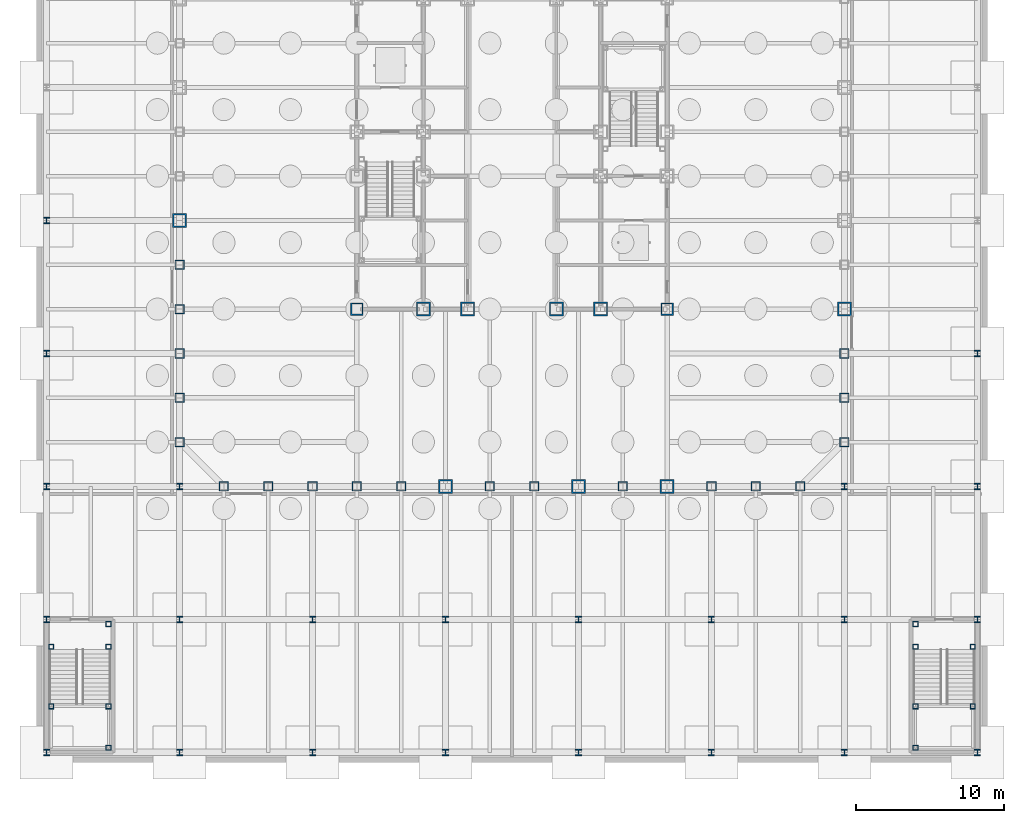
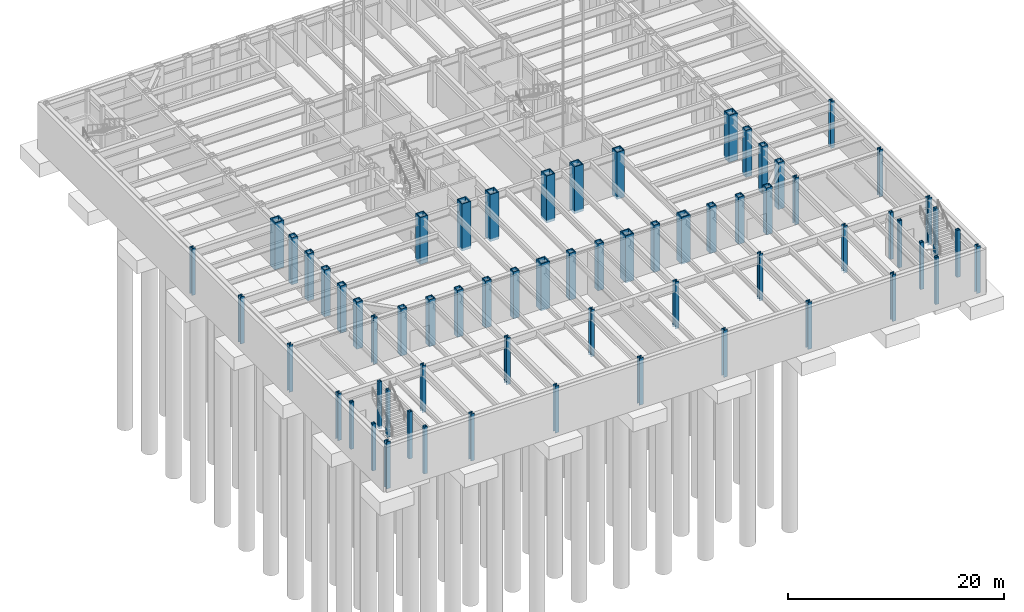
# One storey, part 2 of 18: 65 columns.
"""IFC4 building model written with IfcOpenShell, lengths in metres."""

from ifc_helpers import new_model, si_unit, direction, frame, origin, origin_2d, place, context, subcontext, project, spatial, hollow_rectangle, i_section, extrude, material, material_profile, profile_set, type_object, element, save


model = new_model("IFC4")

# Units and contexts
model_context = context("Model", 3, precision=1e-05, world=origin(), true_north=direction((0.0, 1.0)))
body_context = subcontext(model_context, "Body", "Model", "MODEL_VIEW")
ifc_project = project(units=[si_unit("LENGTHUNIT", "METRE"), si_unit("AREAUNIT", "SQUARE_METRE"), si_unit("VOLUMEUNIT", "CUBIC_METRE"), si_unit("PLANEANGLEUNIT", "RADIAN"), si_unit("MASSUNIT", "GRAM", prefix="KILO")], contexts=[model_context])

# Site, building, storey
site_placement = place(None, origin())
site = spatial("IfcSite", under=ifc_project, at=site_placement, CompositionType="ELEMENT")
building_placement = place(site_placement, origin())
building = spatial("IfcBuilding", under=site, at=building_placement, Name="Chuquiago Exchange Tower", CompositionType="ELEMENT")
storey_placement = place(building_placement, frame((0.0, 0.0, -5.0)))
storey = spatial("IfcBuildingStorey", under=building, at=storey_placement, Name="B1", CompositionType="ELEMENT", Elevation=-5.0)

# Columns
ifc_material_1 = material(Name="Steel ASTM A572 Grade 50", Category="steel")
ifc_material_profile_1 = material_profile(ifc_material_1, hollow_rectangle(XDim=0.64990234375, YDim=0.64990234375, WallThickness=0.06494140625, at=origin_2d()), Name="BOX650X650X65")
ifc_profile_set_1 = profile_set([ifc_material_profile_1], Name="Steel ASTM A572 Grade 50")
column_type_1 = type_object("IfcColumnType", Name="C1 BOX650X650X65", PredefinedType="COLUMN", material=ifc_profile_set_1)
for number, where, z_axis, x_axis, name in (
    (1, (3.0, 0.0, -0.300048828125), (0.0, 0.0, 1.0), (0.0, -1.0, 0.0), "COL-B1-3_0"),
    (2, (6.0, 0.0, -0.300048828125), (0.0, 0.0, 1.0), (0.0, -1.0, 0.0), "COL-B1-6_0"),
    (3, (9.0, 0.0, -0.300048828125), (0.0, 0.0, 1.0), (0.0, -1.0, 0.0), "COL-B1-9_0"),
    (4, (12.0, 0.0, -0.300048828125), (0.0, 0.0, 1.0), (0.0, -1.0, 0.0), "COL-B1-12_0"),
    (5, (15.0, 0.0, -0.300048828125), (0.0, 0.0, 1.0), (0.0, -1.0, 0.0), "COL-B1-15_0"),
    (6, (21.0, 0.0, -0.300048828125), (0.0, 0.0, 1.0), (0.0, -1.0, 0.0), "COL-B1-21_0"),
    (7, (24.0, 0.0, -0.300048828125), (0.0, 0.0, 1.0), (0.0, -1.0, 0.0), "COL-B1-24_0"),
    (8, (30.0, 0.0, -0.300048828125), (0.0, 0.0, 1.0), (0.0, -1.0, 0.0), "COL-B1-30_0"),
    (9, (36.0, 0.0, -0.300048828125), (0.0, 0.0, 1.0), (0.0, -1.0, 0.0), "COL-B1-36_0"),
    (10, (39.0, 0.0, -0.300048828125), (0.0, 0.0, 1.0), (0.0, -1.0, 0.0), "COL-B1-39_0"),
    (11, (42.0, 0.0, -0.300048828125), (0.0, 0.0, 1.0), (0.0, -1.0, 0.0), "COL-B1-42_0"),
    (12, (45.0, 3.0, -0.300048828125), (0.0, 0.0, 1.0), (1.0, 0.0, 0.0), "COL-B1-45_3"),
    (13, (45.0, 6.0, -0.300048828125), (0.0, 0.0, 1.0), (1.0, 0.0, 0.0), "COL-B1-45_6"),
    (14, (45.0, 9.0, -0.300048828125), (0.0, 0.0, 1.0), (1.0, 0.0, 0.0), "COL-B1-45_9"),
    (15, (0.0, 15.0, -0.300048828125), (0.0, 0.0, 1.0), (-1.0, 0.0, 0.0), "COL-B1-0_15"),
    (16, (0.0, 12.0, -0.300048828125), (0.0, 0.0, 1.0), (-1.0, 0.0, 0.0), "COL-B1-0_12"),
    (17, (0.0, 9.0, -0.300048828125), (0.0, 0.0, 1.0), (-1.0, 0.0, 0.0), "COL-B1-0_9"),
    (18, (0.0, 6.0, -0.300048828125), (0.0, 0.0, 1.0), (-1.0, 0.0, 0.0), "COL-B1-0_6"),
    (19, (0.0, 3.0, -0.300048828125), (0.0, 0.0, 1.0), (-1.0, 0.0, 0.0), "COL-B1-0_3"),
):
    element("IfcColumn", number, at=place(storey_placement, frame(where, z_axis=z_axis, x_axis=x_axis)), inside=storey, type_object=column_type_1, Name=name, PredefinedType="COLUMN", context=body_context, shape_type="SweptSolid", body=[
        extrude(hollow_rectangle(XDim=0.64990234375, YDim=0.64990234375, WallThickness=0.06494140625, at=origin_2d()), origin(), (0.0, 0.0, 1.0), 5.300048828125),
    ])
ifc_material_2 = material(Name="Steel ASTM A572 Grade 50", Category="steel")
ifc_material_profile_2 = material_profile(ifc_material_2, hollow_rectangle(XDim=0.949951171875, YDim=0.949951171875, WallThickness=0.094970703125, at=origin_2d()), Name="BOX950X950X95")
ifc_profile_set_2 = profile_set([ifc_material_profile_2], Name="Steel ASTM A572 Grade 50")
column_type_2 = type_object("IfcColumnType", Name="CC1 BOX950X950X95", PredefinedType="COLUMN", material=ifc_profile_set_2)
for number, where, z_axis, x_axis, name in (
    (20, (16.5, 12.0, -0.300048828125), (0.0, 0.0, 1.0), (1.0, 0.0, 0.0), "CCOL-B1-16.5_12"),
    (21, (19.5, 12.0, -0.300048828125), (0.0, 0.0, 1.0), (1.0, 0.0, 0.0), "CCOL-B1-19.5_12"),
    (22, (25.5, 12.0, -0.300048828125), (0.0, 0.0, 1.0), (1.0, 0.0, 0.0), "CCOL-B1-25.5_12"),
    (23, (28.5, 12.0, -0.300048828125), (0.0, 0.0, 1.0), (1.0, 0.0, 0.0), "CCOL-B1-28.5_12"),
):
    element("IfcColumn", number, at=place(storey_placement, frame(where, z_axis=z_axis, x_axis=x_axis)), inside=storey, type_object=column_type_2, Name=name, PredefinedType="COLUMN", context=body_context, shape_type="SweptSolid", body=[
        extrude(hollow_rectangle(XDim=0.949951171875, YDim=0.949951171875, WallThickness=0.094970703125, at=origin_2d()), origin(), (0.0, 0.0, 1.0), 5.300048828125),
    ])
ifc_material_3 = material(Name="Steel ASTM A572 Grade 50", Category="steel")
ifc_material_profile_3 = material_profile(ifc_material_3, hollow_rectangle(XDim=0.85009765625, YDim=0.85009765625, WallThickness=0.0849609375, at=origin_2d()), Name="BOX850X850X85")
ifc_profile_set_3 = profile_set([ifc_material_profile_3], Name="Steel ASTM A572 Grade 50")
column_type_3 = type_object("IfcColumnType", Name="CC6 BOX850X850X85", PredefinedType="COLUMN", material=ifc_profile_set_3)
for number, where, z_axis, x_axis, name in (
    (24, (12.0, 12.0, -0.300048828125), (0.0, 0.0, 1.0), (1.0, 0.0, 0.0), "CCOL-B1-12_12"),
    (25, (33.0, 12.0, -0.300048828125), (0.0, 0.0, 1.0), (1.0, 0.0, 0.0), "CCOL-B1-33_12"),
):
    element("IfcColumn", number, at=place(storey_placement, frame(where, z_axis=z_axis, x_axis=x_axis)), inside=storey, type_object=column_type_3, Name=name, PredefinedType="COLUMN", context=body_context, shape_type="SweptSolid", body=[
        extrude(hollow_rectangle(XDim=0.85009765625, YDim=0.85009765625, WallThickness=0.0849609375, at=origin_2d()), origin(), (0.0, 0.0, 1.0), 5.300048828125),
    ])
ifc_material_4 = material(Name="Steel ASTM A572 Grade 42", Category="steel")
ifc_material_profile_4 = material_profile(ifc_material_4, hollow_rectangle(XDim=0.949951171875, YDim=0.949951171875, WallThickness=0.110107421875, at=origin_2d()), Name="BOX950X950X110")
ifc_profile_set_4 = profile_set([ifc_material_profile_4], Name="Steel ASTM A572 Grade 42")
column_type_4 = type_object("IfcColumnType", Name="CT1 BOX950X950X110", PredefinedType="COLUMN", material=ifc_profile_set_4)
for number, where, z_axis, x_axis, name in (
    (26, (18.0, 0.0, -0.300048828125), (0.0, 0.0, 1.0), (0.0, -1.0, 0.0), "COL-B1-18_0"),
    (27, (27.0, 0.0, -0.300048828125), (0.0, 0.0, 1.0), (0.0, -1.0, 0.0), "COL-B1-27_0"),
    (28, (33.0, 0.0, -0.300048828125), (0.0, 0.0, 1.0), (0.0, -1.0, 0.0), "COL-B1-33_0"),
    (29, (45.0, 12.0, -0.300048828125), (0.0, 0.0, 1.0), (1.0, 0.0, 0.0), "COL-B1-45_12"),
    (30, (0.0, 18.0, -0.300048828125), (0.0, 0.0, 1.0), (-1.0, 0.0, 0.0), "COL-B1-0_18"),
):
    element("IfcColumn", number, at=place(storey_placement, frame(where, z_axis=z_axis, x_axis=x_axis)), inside=storey, type_object=column_type_4, Name=name, PredefinedType="COLUMN", context=body_context, shape_type="SweptSolid", body=[
        extrude(hollow_rectangle(XDim=0.949951171875, YDim=0.949951171875, WallThickness=0.110107421875, at=origin_2d()), origin(), (0.0, 0.0, 1.0), 5.300048828125),
    ])
ifc_material_5 = material(Name="Steel ASTM A992", Category="steel")
ifc_material_profile_5 = material_profile(ifc_material_5, i_section(OverallWidth=0.411376953125, OverallDepth=0.434326171875, WebThickness=0.035888671875, FlangeThickness=0.057373046875, at=origin_2d()), Name="W14X311")
ifc_profile_set_5 = profile_set([ifc_material_profile_5], Name="Steel ASTM A992")
column_type_5 = type_object("IfcColumnType", Name="PC1 W14X311", PredefinedType="COLUMN", material=ifc_profile_set_5)
for number, where, z_axis, x_axis, name in (
    (31, (-9.0, -18.0, -0.300048828125), (0.0, 0.0, 1.0), (1.0, 0.0, 0.0), "PCOL-B1--9_-18"),
    (32, (-9.0, -9.0, -0.300048828125), (0.0, 0.0, 1.0), (1.0, 0.0, 0.0), "PCOL-B1--9_-9"),
    (33, (-9.0, 0.0, -0.300048828125), (0.0, 0.0, 1.0), (1.0, 0.0, 0.0), "PCOL-B1--9_0"),
    (34, (-9.0, 9.0, -0.300048828125), (0.0, 0.0, 1.0), (1.0, 0.0, 0.0), "PCOL-B1--9_9"),
    (35, (-9.0, 18.0, -0.300048828125), (0.0, 0.0, 1.0), (1.0, 0.0, 0.0), "PCOL-B1--9_18"),
    (36, (0.0, -18.0, -0.300048828125), (0.0, 0.0, 1.0), (1.0, 0.0, 0.0), "PCOL-B1-0_-18"),
    (37, (0.0, -9.0, -0.300048828125), (0.0, 0.0, 1.0), (1.0, 0.0, 0.0), "PCOL-B1-0_-9"),
    (38, (0.0, 0.0, -0.300048828125), (0.0, 0.0, 1.0), (1.0, 0.0, 0.0), "PCOL-B1-0_0"),
    (39, (9.0, -18.0, -0.300048828125), (0.0, 0.0, 1.0), (1.0, 0.0, 0.0), "PCOL-B1-9_-18"),
    (40, (9.0, -9.0, -0.300048828125), (0.0, 0.0, 1.0), (1.0, 0.0, 0.0), "PCOL-B1-9_-9"),
    (41, (18.0, -18.0, -0.300048828125), (0.0, 0.0, 1.0), (1.0, 0.0, 0.0), "PCOL-B1-18_-18"),
    (42, (18.0, -9.0, -0.300048828125), (0.0, 0.0, 1.0), (1.0, 0.0, 0.0), "PCOL-B1-18_-9"),
    (43, (27.0, -18.0, -0.300048828125), (0.0, 0.0, 1.0), (1.0, 0.0, 0.0), "PCOL-B1-27_-18"),
    (44, (27.0, -9.0, -0.300048828125), (0.0, 0.0, 1.0), (1.0, 0.0, 0.0), "PCOL-B1-27_-9"),
    (45, (36.0, -18.0, -0.300048828125), (0.0, 0.0, 1.0), (1.0, 0.0, 0.0), "PCOL-B1-36_-18"),
    (46, (36.0, -9.0, -0.300048828125), (0.0, 0.0, 1.0), (1.0, 0.0, 0.0), "PCOL-B1-36_-9"),
    (47, (45.0, -18.0, -0.300048828125), (0.0, 0.0, 1.0), (1.0, 0.0, 0.0), "PCOL-B1-45_-18"),
    (48, (45.0, -9.0, -0.300048828125), (0.0, 0.0, 1.0), (1.0, 0.0, 0.0), "PCOL-B1-45_-9"),
    (49, (45.0, 0.0, -0.300048828125), (0.0, 0.0, 1.0), (1.0, 0.0, 0.0), "PCOL-B1-45_0"),
    (50, (54.0, -18.0, -0.300048828125), (0.0, 0.0, 1.0), (1.0, 0.0, 0.0), "PCOL-B1-54_-18"),
    (51, (54.0, -9.0, -0.300048828125), (0.0, 0.0, 1.0), (1.0, 0.0, 0.0), "PCOL-B1-54_-9"),
    (52, (54.0, 0.0, -0.300048828125), (0.0, 0.0, 1.0), (1.0, 0.0, 0.0), "PCOL-B1-54_0"),
    (53, (54.0, 9.0, -0.300048828125), (0.0, 0.0, 1.0), (1.0, 0.0, 0.0), "PCOL-B1-54_9"),
):
    element("IfcColumn", number, at=place(storey_placement, frame(where, z_axis=z_axis, x_axis=x_axis)), inside=storey, type_object=column_type_5, Name=name, PredefinedType="COLUMN", context=body_context, shape_type="SweptSolid", body=[
        extrude(i_section(OverallWidth=0.411376953125, OverallDepth=0.434326171875, WebThickness=0.035888671875, FlangeThickness=0.057373046875, at=origin_2d()), origin(), (0.0, 0.0, 1.0), 5.300048828125),
    ])
ifc_material_6 = material(Name="Steel ASTM A572 Grade 50", Category="steel")
ifc_material_profile_6 = material_profile(ifc_material_6, hollow_rectangle(XDim=0.35009765625, YDim=0.35009765625, WallThickness=0.034912109375, at=origin_2d()), Name="BOX350X350X35")
ifc_profile_set_6 = profile_set([ifc_material_profile_6], Name="Steel ASTM A572 Grade 50")
column_type_6 = type_object("IfcColumnType", Name="PT3 BOX350X350X35", PredefinedType="COLUMN", material=ifc_profile_set_6)
for number, where, z_axis, x_axis, name in (
    (54, (-4.81005859375, -17.68994140625, -0.300048828125), (0.0, 0.0, 1.0), (1.0, 0.0, 0.0), "Stair PS1 B1 landing post"),
    (55, (-8.68994140625, -14.889892578125, -0.300048828125), (0.0, 0.0, 1.0), (1.0, 0.0, 0.0), "Stair PS1 B1 landing post"),
    (56, (-4.81005859375, -14.889892578125, -0.300048828125), (0.0, 0.0, 1.0), (1.0, 0.0, 0.0), "Stair PS1 B1 landing post"),
    (57, (-8.68994140625, -10.85009765625, -0.300048828125), (0.0, 0.0, 1.0), (1.0, 0.0, 0.0), "Stair PS1 B1 landing post"),
    (58, (-4.81005859375, -10.85009765625, -0.300048828125), (0.0, 0.0, 1.0), (1.0, 0.0, 0.0), "Stair PS1 B1 landing post"),
    (59, (-4.81005859375, -9.31005859375, -0.300048828125), (0.0, 0.0, 1.0), (1.0, 0.0, 0.0), "Stair PS1 B1 landing post"),
    (60, (49.81005859375, -17.68994140625, -0.300048828125), (0.0, 0.0, 1.0), (1.0, 0.0, 0.0), "Stair PS2 B1 landing post"),
    (61, (49.81005859375, -14.889892578125, -0.300048828125), (0.0, 0.0, 1.0), (1.0, 0.0, 0.0), "Stair PS2 B1 landing post"),
    (62, (53.68994140625, -14.889892578125, -0.300048828125), (0.0, 0.0, 1.0), (1.0, 0.0, 0.0), "Stair PS2 B1 landing post"),
    (63, (49.81005859375, -10.85009765625, -0.300048828125), (0.0, 0.0, 1.0), (1.0, 0.0, 0.0), "Stair PS2 B1 landing post"),
    (64, (53.68994140625, -10.85009765625, -0.300048828125), (0.0, 0.0, 1.0), (1.0, 0.0, 0.0), "Stair PS2 B1 landing post"),
    (65, (49.81005859375, -9.31005859375, -0.300048828125), (0.0, 0.0, 1.0), (1.0, 0.0, 0.0), "Stair PS2 B1 landing post"),
):
    element("IfcColumn", number, at=place(storey_placement, frame(where, z_axis=z_axis, x_axis=x_axis)), inside=storey, type_object=column_type_6, Name=name, PredefinedType="COLUMN", context=body_context, shape_type="SweptSolid", body=[
        extrude(hollow_rectangle(XDim=0.35009765625, YDim=0.35009765625, WallThickness=0.034912109375, at=origin_2d()), origin(), (0.0, 0.0, 1.0), 5.300048828125),
    ])

save(model, "model.ifc")
